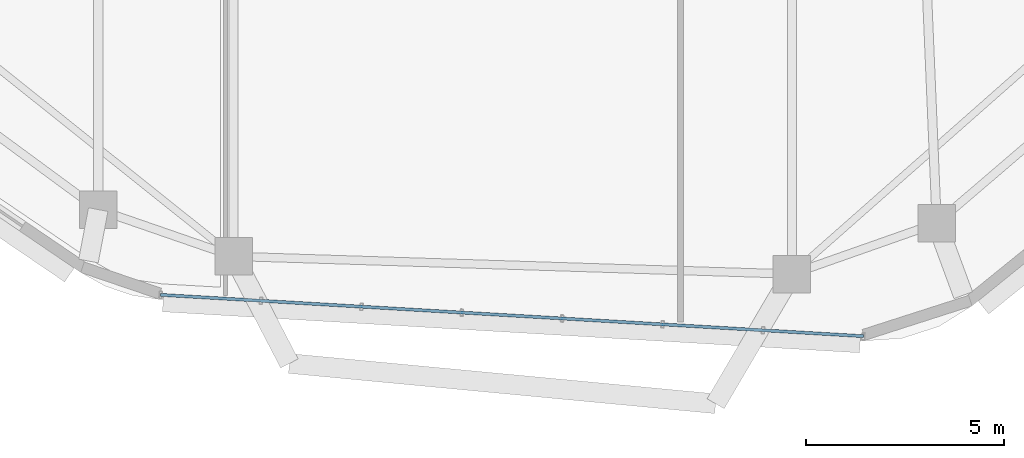
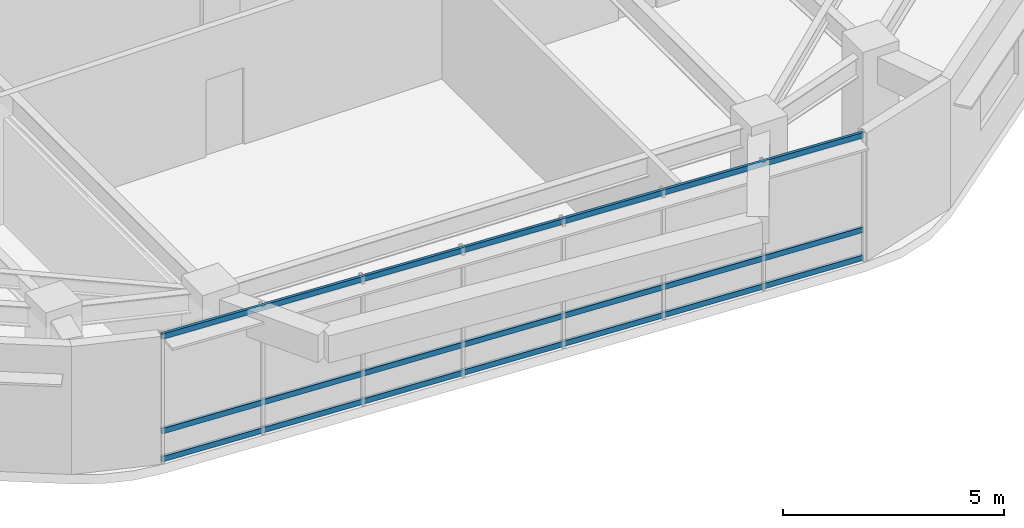
# One storey, part 3 of 14: 3 members, 1 element without a shape of its own.
"""IFC4 building model written with IfcOpenShell, lengths in metres."""

from ifc_helpers import new_model, si_unit, direction, frame, origin, origin_2d, place, context, subcontext, project, spatial, hollow_rectangle, extrude, material, material_profile, profile_set, type_object, element, aggregate, save


model = new_model("IFC4")

# Units and contexts
model_context = context("Model", 3, precision=1e-05, world=origin(), true_north=direction((0.0, 1.0)))
body_context = subcontext(model_context, "Body", "Model", "MODEL_VIEW")
ifc_project = project(units=[si_unit("LENGTHUNIT", "METRE"), si_unit("AREAUNIT", "SQUARE_METRE"), si_unit("VOLUMEUNIT", "CUBIC_METRE"), si_unit("PLANEANGLEUNIT", "RADIAN"), si_unit("MASSUNIT", "GRAM", prefix="KILO")], contexts=[model_context])

# Site, building, storey
site_placement = place(None, origin())
site = spatial("IfcSite", under=ifc_project, at=site_placement, CompositionType="ELEMENT")
building_placement = place(site_placement, origin())
building = spatial("IfcBuilding", under=site, at=building_placement, Name="Zulverin Broadcast Headquarters", CompositionType="ELEMENT")
storey_placement = place(building_placement, frame((0.0, 0.0, 208.60009765625)))
storey = spatial("IfcBuildingStorey", under=building, at=storey_placement, Name="L53", CompositionType="ELEMENT", Elevation=208.60009765625)

# Curtain wall, members
ifc_material_1 = material(Name="Waist wind-pressure unitised curtain wall", Category="aluminium")
curtain_wall_type = type_object("IfcCurtainWallType", Name="CW-TWR-WST", PredefinedType="USERDEFINED", material=ifc_material_1)
curtain_wall_placement = place(storey_placement, origin())
curtain_wall = element("IfcCurtainWall", 1, at=curtain_wall_placement, inside=storey, type_object=curtain_wall_type, Name="L53 Unitised Curtain Wall CW-L53-E1", ObjectType="UNITISED CURTAIN WALL", PredefinedType="USERDEFINED")
ifc_material_2 = material(Name="Anodized pale-metal aluminium alloy 6063-T6", Category="aluminium")
ifc_material_profile = material_profile(ifc_material_2, hollow_rectangle(XDim=0.074951171875, YDim=0.14990234375, WallThickness=0.0048828125, at=origin_2d()), Name="Anodized pale-metal aluminium alloy 6063-T6", Category="aluminium")
ifc_profile_set = profile_set([ifc_material_profile], Name="Anodized pale-metal aluminium alloy 6063-T6")
member_type = type_object("IfcMemberType", Name="CW-TRN-150", PredefinedType="USERDEFINED", material=ifc_profile_set)
member_1_placement = place(storey_placement, frame((28.96435546875, 3.155029296875, 0.074951171875), z_axis=(0.998274467859, -0.058720412304, 0.0), x_axis=(0.058720412304, 0.998274467859, 0.0)))
member_1 = element("IfcMember", 2, at=member_1_placement, type_object=member_type, Name="CW-L53-E1 Transom 0", ObjectType="TRANSOM", PredefinedType="USERDEFINED", context=body_context, shape_type="SweptSolid", body=[
    extrude(hollow_rectangle(XDim=0.074951171875, YDim=0.14990234375, WallThickness=0.0048828125, at=origin_2d()), origin(), (0.0, 0.0, 1.0), 17.782470703125),
])
member_2_placement = place(storey_placement, frame((28.96435546875, 3.155029296875, 0.849609375), z_axis=(0.998274467859, -0.058720412304, 0.0), x_axis=(0.058720412304, 0.998274467859, 0.0)))
member_2 = element("IfcMember", 3, at=member_2_placement, type_object=member_type, Name="CW-L53-E1 Transom 1", ObjectType="TRANSOM", PredefinedType="USERDEFINED", context=body_context, shape_type="SweptSolid", body=[
    extrude(hollow_rectangle(XDim=0.074951171875, YDim=0.14990234375, WallThickness=0.0048828125, at=origin_2d()), origin(), (0.0, 0.0, 1.0), 17.782470703125),
])
member_3_placement = place(storey_placement, frame((28.96435546875, 3.155029296875, 3.46484375), z_axis=(0.998274467859, -0.058720412304, 0.0), x_axis=(0.058720412304, 0.998274467859, 0.0)))
member_3 = element("IfcMember", 4, at=member_3_placement, type_object=member_type, Name="CW-L53-E1 Transom 2", ObjectType="TRANSOM", PredefinedType="USERDEFINED", context=body_context, shape_type="SweptSolid", body=[
    extrude(hollow_rectangle(XDim=0.074951171875, YDim=0.14990234375, WallThickness=0.0048828125, at=origin_2d()), origin(), (0.0, 0.0, 1.0), 17.782470703125),
])
aggregate(curtain_wall, [member_1, member_2, member_3])

save(model, "model.ifc")
